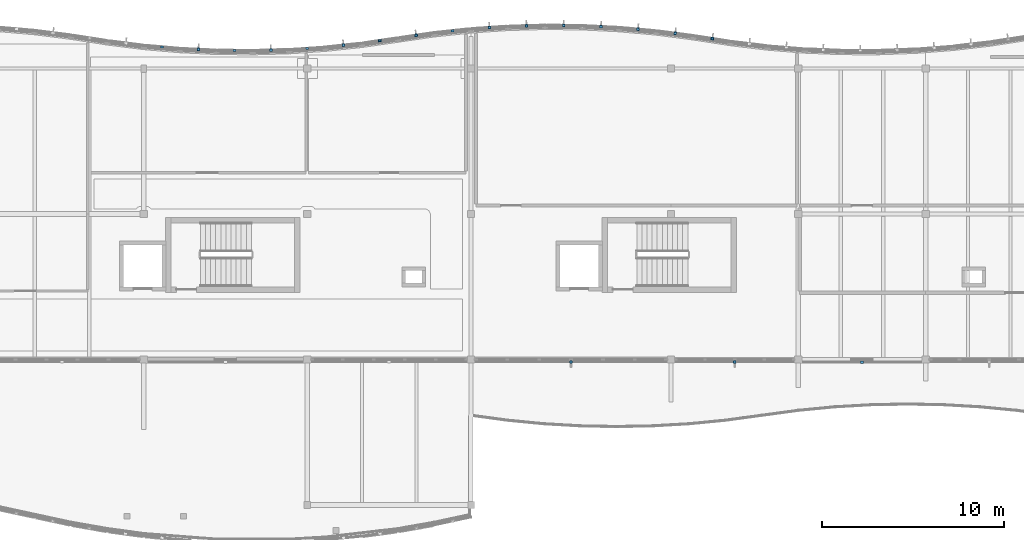
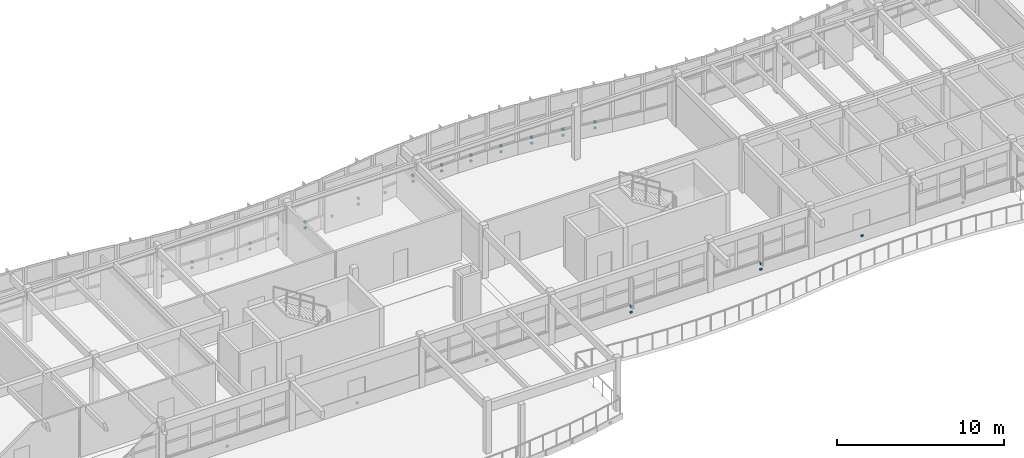
# One storey, part 51 of 63: 32 discrete accessories.
"""IFC4 building model written with IfcOpenShell, lengths in metres."""

from ifc_helpers import new_model, si_unit, direction, frame, origin, origin_2d, place, context, subcontext, project, spatial, rectangle, extrude, material, type_object, element, save


model = new_model("IFC4")

# Units and contexts
model_context = context("Model", 3, precision=1e-05, world=origin(), true_north=direction((0.0, 1.0)))
body_context = subcontext(model_context, "Body", "Model", "MODEL_VIEW")
ifc_project = project(units=[si_unit("LENGTHUNIT", "METRE"), si_unit("AREAUNIT", "SQUARE_METRE"), si_unit("VOLUMEUNIT", "CUBIC_METRE"), si_unit("PLANEANGLEUNIT", "RADIAN"), si_unit("MASSUNIT", "GRAM", prefix="KILO")], contexts=[model_context])

# Site, building, storey
site_placement = place(None, origin())
site = spatial("IfcSite", under=ifc_project, at=site_placement, CompositionType="ELEMENT")
building_placement = place(site_placement, origin())
building = spatial("IfcBuilding", under=site, at=building_placement, Name="Tonlespit Floodbar School", CompositionType="ELEMENT")
storey_placement = place(building_placement, frame((0.0, 0.0, 8.39990234375)))
storey = spatial("IfcBuildingStorey", under=building, at=storey_placement, Name="L02", CompositionType="ELEMENT", Elevation=8.39990234375)

# Discrete accessories
ifc_material = material(Name="Galvanised Steel", Category="steel")
discrete_accessory_type = type_object("IfcDiscreteAccessoryType", Name="Bracket_Facade_S355", PredefinedType="BRACKET", material=ifc_material)
for number, where, z_axis, x_axis, name in (
    (1, (99.01123046875, 121.184814453125, 0.35498046875), (0.0, 0.0, 1.0), (0.996245486492, -0.086573267488, 0.0), "L02 white band support bracket 0158"),
    (2, (101.00634765625, 121.05029296875, 0.35498046875), (0.0, 0.0, 1.0), (0.998842769234, -0.048094930587, 0.0), "L02 white band support bracket 0159"),
):
    element("IfcDiscreteAccessory", number, at=place(storey_placement, frame(where, z_axis=z_axis, x_axis=x_axis)), inside=storey, type_object=discrete_accessory_type, Name=name, PredefinedType="BRACKET", context=body_context, shape_type="SweptSolid", body=[
        extrude(rectangle(XDim=0.159912109375, YDim=0.1201171875, at=origin_2d()), origin(), (0.0, 0.0, 1.0), 0.1201171875),
    ])
discrete_accessory_1_placement = place(storey_placement, frame((101.006591796875, 121.060302734375, 0.7802734375), z_axis=(0.0, 0.0, 1.0), x_axis=(0.998842769234, -0.048094930587, 0.0)))
element("IfcDiscreteAccessory", 3, at=discrete_accessory_1_placement, inside=storey, type_object=discrete_accessory_type, Name="Solar fin support bracket 051", PredefinedType="BRACKET", context=body_context, shape_type="SweptSolid", body=[
    extrude(rectangle(XDim=0.1201171875, YDim=0.179931640625, at=origin_2d()), origin(), (0.0, 0.0, 1.0), 0.139892578125),
])
for number, where, z_axis, x_axis, name in (
    (4, (103.001220703125, 120.99267578125, 0.35498046875), (0.0, 0.0, 1.0), (0.999953926969, -0.009599163462, 0.0), "L02 white band support bracket 0160"),
    (5, (104.996337890625, 121.01171875, 0.35498046875), (0.0, 0.0, 1.0), (0.999584110869, 0.02883756748, 0.0), "L02 white band support bracket 0161"),
):
    element("IfcDiscreteAccessory", number, at=place(storey_placement, frame(where, z_axis=z_axis, x_axis=x_axis)), inside=storey, type_object=discrete_accessory_type, Name=name, PredefinedType="BRACKET", context=body_context, shape_type="SweptSolid", body=[
        extrude(rectangle(XDim=0.159912109375, YDim=0.1201171875, at=origin_2d()), origin(), (0.0, 0.0, 1.0), 0.1201171875),
    ])
discrete_accessory_2_placement = place(storey_placement, frame((104.99609375, 121.021728515625, 0.7802734375), z_axis=(0.0, 0.0, 1.0), x_axis=(0.999584110869, 0.02883756748, 0.0)))
element("IfcDiscreteAccessory", 6, at=discrete_accessory_2_placement, inside=storey, type_object=discrete_accessory_type, Name="Solar fin support bracket 052", PredefinedType="BRACKET", context=body_context, shape_type="SweptSolid", body=[
    extrude(rectangle(XDim=0.1201171875, YDim=0.179931640625, at=origin_2d()), origin(), (0.0, 0.0, 1.0), 0.139892578125),
])
for number, where, z_axis, x_axis, name in (
    (7, (106.9912109375, 121.10791015625, 0.35498046875), (0.0, 0.0, 1.0), (0.997729639049, 0.067346621018, 0.0), "L02 white band support bracket 0162"),
    (8, (108.986328125, 121.28125, 0.35498046875), (0.0, 0.0, 1.0), (0.99439234017, 0.105753835922, 0.0), "L02 white band support bracket 0163"),
):
    element("IfcDiscreteAccessory", number, at=place(storey_placement, frame(where, z_axis=z_axis, x_axis=x_axis)), inside=storey, type_object=discrete_accessory_type, Name=name, PredefinedType="BRACKET", context=body_context, shape_type="SweptSolid", body=[
        extrude(rectangle(XDim=0.159912109375, YDim=0.1201171875, at=origin_2d()), origin(), (0.0, 0.0, 1.0), 0.1201171875),
    ])
discrete_accessory_3_placement = place(storey_placement, frame((108.985107421875, 121.291259765625, 0.7802734375), z_axis=(0.0, 0.0, 1.0), x_axis=(0.99439234017, 0.105753835922, 0.0)))
element("IfcDiscreteAccessory", 9, at=discrete_accessory_3_placement, inside=storey, type_object=discrete_accessory_type, Name="Solar fin support bracket 053", PredefinedType="BRACKET", context=body_context, shape_type="SweptSolid", body=[
    extrude(rectangle(XDim=0.1201171875, YDim=0.179931640625, at=origin_2d()), origin(), (0.0, 0.0, 1.0), 0.139892578125),
])
for number, where, z_axis, x_axis, name in (
    (10, (110.981201171875, 121.53271484375, 0.35498046875), (0.0, 0.0, 1.0), (0.989537627347, 0.144275029245, 0.0), "L02 white band support bracket 0164"),
    (11, (112.981201171875, 121.824462890625, 0.35498046875), (0.0, 0.0, 1.0), (0.989537627347, 0.144275029245, 0.0), "L02 white band support bracket 0165"),
):
    element("IfcDiscreteAccessory", number, at=place(storey_placement, frame(where, z_axis=z_axis, x_axis=x_axis)), inside=storey, type_object=discrete_accessory_type, Name=name, PredefinedType="BRACKET", context=body_context, shape_type="SweptSolid", body=[
        extrude(rectangle(XDim=0.159912109375, YDim=0.1201171875, at=origin_2d()), origin(), (0.0, 0.0, 1.0), 0.1201171875),
    ])
discrete_accessory_4_placement = place(storey_placement, frame((112.979736328125, 121.834228515625, 0.7802734375), z_axis=(0.0, 0.0, 1.0), x_axis=(0.989537627347, 0.144275029245, 0.0)))
element("IfcDiscreteAccessory", 12, at=discrete_accessory_4_placement, inside=storey, type_object=discrete_accessory_type, Name="Solar fin support bracket 054", PredefinedType="BRACKET", context=body_context, shape_type="SweptSolid", body=[
    extrude(rectangle(XDim=0.1201171875, YDim=0.179931640625, at=origin_2d()), origin(), (0.0, 0.0, 1.0), 0.139892578125),
])
for number, where, z_axis, x_axis, name in (
    (13, (114.986328125, 122.0771484375, 0.35498046875), (0.0, 0.0, 1.0), (0.99439234017, 0.105753835922, 0.0), "L02 white band support bracket 0166"),
    (14, (117.010498046875, 122.25244140625, 0.35498046875), (0.0, 0.0, 1.0), (0.997755775351, 0.066958291148, 0.0), "L02 white band support bracket 0664"),
):
    element("IfcDiscreteAccessory", number, at=place(storey_placement, frame(where, z_axis=z_axis, x_axis=x_axis)), inside=storey, type_object=discrete_accessory_type, Name=name, PredefinedType="BRACKET", context=body_context, shape_type="SweptSolid", body=[
        extrude(rectangle(XDim=0.159912109375, YDim=0.1201171875, at=origin_2d()), origin(), (0.0, 0.0, 1.0), 0.1201171875),
    ])
discrete_accessory_5_placement = place(storey_placement, frame((117.010009765625, 122.262451171875, 0.7802734375), z_axis=(0.0, 0.0, 1.0), x_axis=(0.997755775351, 0.066958291148, 0.0)))
element("IfcDiscreteAccessory", 15, at=discrete_accessory_5_placement, inside=storey, type_object=discrete_accessory_type, Name="Solar fin support bracket 267", PredefinedType="BRACKET", context=body_context, shape_type="SweptSolid", body=[
    extrude(rectangle(XDim=0.1201171875, YDim=0.179931640625, at=origin_2d()), origin(), (0.0, 0.0, 1.0), 0.139892578125),
])
discrete_accessory_6_placement = place(storey_placement, frame((119.05419921875, 122.349365234375, 0.35498046875), z_axis=(0.0, 0.0, 1.0), x_axis=(0.999614730883, 0.027755896707, 0.0)))
element("IfcDiscreteAccessory", 16, at=discrete_accessory_6_placement, inside=storey, type_object=discrete_accessory_type, Name="L02 white band support bracket 0665", PredefinedType="BRACKET", context=body_context, shape_type="SweptSolid", body=[
    extrude(rectangle(XDim=0.159912109375, YDim=0.1201171875, at=origin_2d()), origin(), (0.0, 0.0, 1.0), 0.1201171875),
])
discrete_accessory_7_placement = place(storey_placement, frame((119.0537109375, 122.359375, 0.7802734375), z_axis=(0.0, 0.0, 1.0), x_axis=(0.999614730883, 0.027755896707, 0.0)))
element("IfcDiscreteAccessory", 17, at=discrete_accessory_7_placement, inside=storey, type_object=discrete_accessory_type, Name="Solar fin support bracket 268", PredefinedType="BRACKET", context=body_context, shape_type="SweptSolid", body=[
    extrude(rectangle(XDim=0.1201171875, YDim=0.179931640625, at=origin_2d()), origin(), (0.0, 0.0, 1.0), 0.139892578125),
])
discrete_accessory_8_placement = place(storey_placement, frame((121.09765625, 122.365966796875, 0.35498046875), z_axis=(0.0, 0.0, 1.0), x_axis=(0.999934116653, -0.011478778397, 0.0)))
element("IfcDiscreteAccessory", 18, at=discrete_accessory_8_placement, inside=storey, type_object=discrete_accessory_type, Name="L02 white band support bracket 0666", PredefinedType="BRACKET", context=body_context, shape_type="SweptSolid", body=[
    extrude(rectangle(XDim=0.159912109375, YDim=0.1201171875, at=origin_2d()), origin(), (0.0, 0.0, 1.0), 0.1201171875),
])
discrete_accessory_9_placement = place(storey_placement, frame((121.097900390625, 122.3759765625, 0.7802734375), z_axis=(0.0, 0.0, 1.0), x_axis=(0.999934116653, -0.011478778397, 0.0)))
element("IfcDiscreteAccessory", 19, at=discrete_accessory_9_placement, inside=storey, type_object=discrete_accessory_type, Name="Solar fin support bracket 269", PredefinedType="BRACKET", context=body_context, shape_type="SweptSolid", body=[
    extrude(rectangle(XDim=0.1201171875, YDim=0.179931640625, at=origin_2d()), origin(), (0.0, 0.0, 1.0), 0.139892578125),
])
discrete_accessory_10_placement = place(storey_placement, frame((123.14111328125, 122.302490234375, 0.35498046875), z_axis=(0.0, 0.0, 1.0), x_axis=(0.998715911118, -0.05066092063, 0.0)))
element("IfcDiscreteAccessory", 20, at=discrete_accessory_10_placement, inside=storey, type_object=discrete_accessory_type, Name="L02 white band support bracket 0667", PredefinedType="BRACKET", context=body_context, shape_type="SweptSolid", body=[
    extrude(rectangle(XDim=0.159912109375, YDim=0.1201171875, at=origin_2d()), origin(), (0.0, 0.0, 1.0), 0.1201171875),
])
discrete_accessory_11_placement = place(storey_placement, frame((123.1416015625, 122.3125, 0.7802734375), z_axis=(0.0, 0.0, 1.0), x_axis=(0.998715911118, -0.05066092063, 0.0)))
element("IfcDiscreteAccessory", 21, at=discrete_accessory_11_placement, inside=storey, type_object=discrete_accessory_type, Name="Solar fin support bracket 270", PredefinedType="BRACKET", context=body_context, shape_type="SweptSolid", body=[
    extrude(rectangle(XDim=0.1201171875, YDim=0.179931640625, at=origin_2d()), origin(), (0.0, 0.0, 1.0), 0.139892578125),
])
discrete_accessory_12_placement = place(storey_placement, frame((125.184814453125, 122.158447265625, 0.35498046875), z_axis=(0.0, 0.0, 1.0), x_axis=(0.995951038909, -0.089897319734, 0.0)))
element("IfcDiscreteAccessory", 22, at=discrete_accessory_12_placement, inside=storey, type_object=discrete_accessory_type, Name="L02 white band support bracket 0668", PredefinedType="BRACKET", context=body_context, shape_type="SweptSolid", body=[
    extrude(rectangle(XDim=0.159912109375, YDim=0.1201171875, at=origin_2d()), origin(), (0.0, 0.0, 1.0), 0.1201171875),
])
discrete_accessory_13_placement = place(storey_placement, frame((125.185546875, 122.168212890625, 0.7802734375), z_axis=(0.0, 0.0, 1.0), x_axis=(0.995951038909, -0.089897319734, 0.0)))
element("IfcDiscreteAccessory", 23, at=discrete_accessory_13_placement, inside=storey, type_object=discrete_accessory_type, Name="Solar fin support bracket 271", PredefinedType="BRACKET", context=body_context, shape_type="SweptSolid", body=[
    extrude(rectangle(XDim=0.1201171875, YDim=0.179931640625, at=origin_2d()), origin(), (0.0, 0.0, 1.0), 0.139892578125),
])
discrete_accessory_14_placement = place(storey_placement, frame((127.228271484375, 121.93310546875, 0.35498046875), z_axis=(0.0, 0.0, 1.0), x_axis=(0.99163110178, -0.129103671456, 0.0)))
element("IfcDiscreteAccessory", 24, at=discrete_accessory_14_placement, inside=storey, type_object=discrete_accessory_type, Name="L02 white band support bracket 0669", PredefinedType="BRACKET", context=body_context, shape_type="SweptSolid", body=[
    extrude(rectangle(XDim=0.159912109375, YDim=0.1201171875, at=origin_2d()), origin(), (0.0, 0.0, 1.0), 0.1201171875),
])
discrete_accessory_15_placement = place(storey_placement, frame((127.2294921875, 121.943115234375, 0.7802734375), z_axis=(0.0, 0.0, 1.0), x_axis=(0.99163110178, -0.129103671456, 0.0)))
element("IfcDiscreteAccessory", 25, at=discrete_accessory_15_placement, inside=storey, type_object=discrete_accessory_type, Name="Solar fin support bracket 272", PredefinedType="BRACKET", context=body_context, shape_type="SweptSolid", body=[
    extrude(rectangle(XDim=0.1201171875, YDim=0.179931640625, at=origin_2d()), origin(), (0.0, 0.0, 1.0), 0.139892578125),
])
discrete_accessory_16_placement = place(storey_placement, frame((129.27001953125, 121.64208984375, 0.35498046875), z_axis=(0.0, 0.0, 1.0), x_axis=(0.988218232868, -0.153051377736, 0.0)))
element("IfcDiscreteAccessory", 26, at=discrete_accessory_16_placement, inside=storey, type_object=discrete_accessory_type, Name="L02 white band support bracket 0670", PredefinedType="BRACKET", context=body_context, shape_type="SweptSolid", body=[
    extrude(rectangle(XDim=0.159912109375, YDim=0.1201171875, at=origin_2d()), origin(), (0.0, 0.0, 1.0), 0.1201171875),
])
discrete_accessory_17_placement = place(storey_placement, frame((129.271484375, 121.652099609375, 0.7802734375), z_axis=(0.0, 0.0, 1.0), x_axis=(0.988218232868, -0.153051377736, 0.0)))
element("IfcDiscreteAccessory", 27, at=discrete_accessory_17_placement, inside=storey, type_object=discrete_accessory_type, Name="Solar fin support bracket 273", PredefinedType="BRACKET", context=body_context, shape_type="SweptSolid", body=[
    extrude(rectangle(XDim=0.1201171875, YDim=0.179931640625, at=origin_2d()), origin(), (0.0, 0.0, 1.0), 0.139892578125),
])
for number, where, z_axis, x_axis, name in (
    (28, (137.5, 103.85009765625, 0.380126953125), (0.0, 0.0, 1.0), (-1.0, 0.0, 0.0), "L02 white band support bracket 0694"),
    (29, (130.5, 103.8701171875, 0.35498046875), (0.0, 0.0, 1.0), (-1.0, 0.0, 0.0), "L02 white band support bracket 0695"),
):
    element("IfcDiscreteAccessory", number, at=place(storey_placement, frame(where, z_axis=z_axis, x_axis=x_axis)), inside=storey, type_object=discrete_accessory_type, Name=name, PredefinedType="BRACKET", context=body_context, shape_type="SweptSolid", body=[
        extrude(rectangle(XDim=0.159912109375, YDim=0.1201171875, at=origin_2d()), origin(), (0.0, 0.0, 1.0), 0.1201171875),
    ])
discrete_accessory_18_placement = place(storey_placement, frame((130.5, 103.860107421875, 0.7802734375), z_axis=(0.0, 0.0, 1.0), x_axis=(-1.0, 0.0, 0.0)))
element("IfcDiscreteAccessory", 30, at=discrete_accessory_18_placement, inside=storey, type_object=discrete_accessory_type, Name="Solar fin support bracket 296", PredefinedType="BRACKET", context=body_context, shape_type="SweptSolid", body=[
    extrude(rectangle(XDim=0.1201171875, YDim=0.179931640625, at=origin_2d()), origin(), (0.0, 0.0, 1.0), 0.139892578125),
])
discrete_accessory_19_placement = place(storey_placement, frame((121.5, 103.8701171875, 0.35498046875), z_axis=(0.0, 0.0, 1.0), x_axis=(-1.0, 0.0, 0.0)))
element("IfcDiscreteAccessory", 31, at=discrete_accessory_19_placement, inside=storey, type_object=discrete_accessory_type, Name="L02 white band support bracket 0696", PredefinedType="BRACKET", context=body_context, shape_type="SweptSolid", body=[
    extrude(rectangle(XDim=0.159912109375, YDim=0.1201171875, at=origin_2d()), origin(), (0.0, 0.0, 1.0), 0.1201171875),
])
discrete_accessory_20_placement = place(storey_placement, frame((121.5, 103.860107421875, 0.7802734375), z_axis=(0.0, 0.0, 1.0), x_axis=(-1.0, 0.0, 0.0)))
element("IfcDiscreteAccessory", 32, at=discrete_accessory_20_placement, inside=storey, type_object=discrete_accessory_type, Name="Solar fin support bracket 297", PredefinedType="BRACKET", context=body_context, shape_type="SweptSolid", body=[
    extrude(rectangle(XDim=0.1201171875, YDim=0.179931640625, at=origin_2d()), origin(), (0.0, 0.0, 1.0), 0.139892578125),
])

save(model, "model.ifc")
